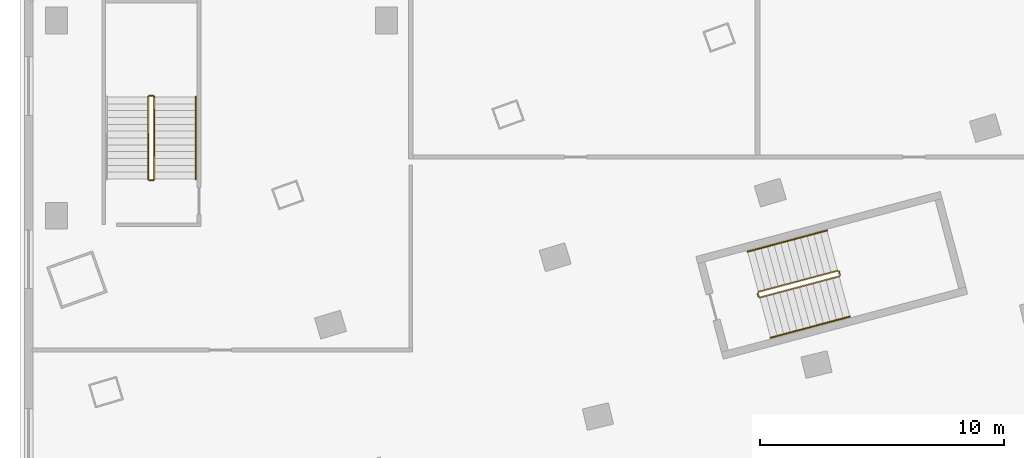
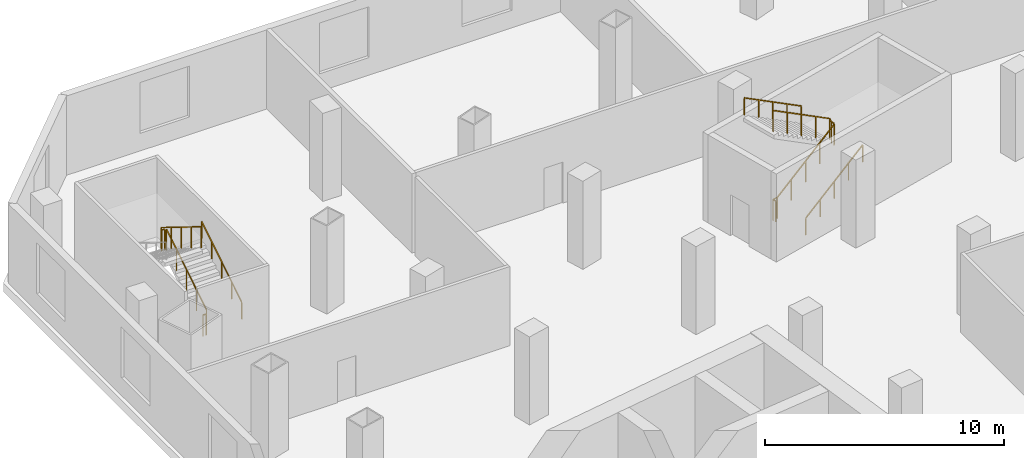
# One storey, part 15 of 16: 8 railings.
"""IFC4 building model written with IfcOpenShell, lengths in metres."""

import ifcopenshell
import ifcopenshell.guid

model = None  # the IFC model being written
_history = None  # IfcOwnerHistory: only IFC2X3 demands one
_inside = {}  # id of a spatial element -> (the spatial element, [elements in it])
_under = {}  # id of a project, library or spatial element -> (it, [spatial elements below it])
_declared = {}  # id of a project -> (the project, [libraries it declares])
_typed = {}  # id of a type object -> (the type object, [elements of that type])
_made_of = {}  # id of a material, layer set ... -> (it, [elements and type objects made of it])


def new_model(schema):
    """Start an empty IFC model of exactly this schema.

    Asked for "IFC4X3", IfcOpenShell would pick the latest addendum, in which some entities
    have other attributes; the version numbers below select the first issue.
    IFC2X3 requires an IfcOwnerHistory on every rooted entity: one is made here for all.
    """
    global model, _history
    if schema == "IFC4X3":
        model = ifcopenshell.file(schema_version=(4, 3, 0, 0))
    else:
        model = ifcopenshell.file(schema=schema)
    _inside.clear()
    _under.clear()
    _declared.clear()
    _typed.clear()
    _made_of.clear()
    _history = None
    if model.schema == "IFC2X3":
        org = make("IfcOrganization", Name="unknown")
        user = make(
            "IfcPersonAndOrganization",
            ThePerson=make("IfcPerson", FamilyName="unknown"),
            TheOrganization=org,
        )
        app = make(
            "IfcApplication",
            ApplicationDeveloper=org,
            Version="unknown",
            ApplicationFullName="unknown",
            ApplicationIdentifier="unknown",
        )
        _history = make(
            "IfcOwnerHistory",
            OwningUser=user,
            OwningApplication=app,
            ChangeAction="ADDED",
            CreationDate=0,
        )
    return model


def make(cls, **values):
    """One entity of the class cls with the attributes given. An attribute that is None is left unset."""
    return model.create_entity(
        cls, **{name: value for name, value in values.items() if value is not None}
    )


def rooted(cls, **values):
    """An entity with a GlobalId (a new one), such as an element, a storey or a relation."""
    return make(cls, GlobalId=ifcopenshell.guid.new(), OwnerHistory=_history, **values)


def si_unit(unit_type, name, prefix=None):
    """IfcSIUnit, for example si_unit("LENGTHUNIT", "METRE", prefix="MILLI")."""
    return make("IfcSIUnit", UnitType=unit_type, Prefix=prefix, Name=name)


def assignment(units):
    """IfcUnitAssignment: the units of a project."""
    return None if units is None else make("IfcUnitAssignment", Units=units)


def point(xyz):
    """IfcCartesianPoint."""
    return None if xyz is None else make("IfcCartesianPoint", Coordinates=xyz)


def direction(xyz):
    """IfcDirection."""
    return None if xyz is None else make("IfcDirection", DirectionRatios=xyz)


def frame(location, z_axis=None, x_axis=None):
    """IfcAxis2Placement3D, a coordinate frame: its origin and axes. An axis left out is left unset."""
    return make(
        "IfcAxis2Placement3D",
        Location=point(location),
        Axis=direction(z_axis),
        RefDirection=direction(x_axis),
    )


def frame_2d(location, x_axis=None):
    """IfcAxis2Placement2D, a coordinate frame in the plane: its origin and x axis."""
    return make(
        "IfcAxis2Placement2D", Location=point(location), RefDirection=direction(x_axis)
    )


def origin():
    """The frame at (0, 0, 0) with its axes left unset."""
    return frame((0.0, 0.0, 0.0))


def origin_2d():
    """The frame at (0, 0) in the plane with its x axis left unset."""
    return frame_2d((0.0, 0.0))


def place(relative_to, where):
    """IfcLocalPlacement: puts the frame where relative to a parent placement (None: the world)."""
    return make(
        "IfcLocalPlacement", PlacementRelTo=relative_to, RelativePlacement=where
    )


def context(
    kind, dimensions, precision=None, world=None, true_north=None, identifier=None
):
    """IfcGeometricRepresentationContext, for example the 3D "Model" context."""
    return make(
        "IfcGeometricRepresentationContext",
        ContextIdentifier=identifier,
        ContextType=kind,
        CoordinateSpaceDimension=dimensions,
        Precision=precision,
        WorldCoordinateSystem=world,
        TrueNorth=true_north,
    )


def subcontext(parent, identifier, kind, view, scale=None):
    """IfcGeometricRepresentationSubContext, for example "Body" below "Model"."""
    return make(
        "IfcGeometricRepresentationSubContext",
        ContextIdentifier=identifier,
        ContextType=kind,
        ParentContext=parent,
        TargetScale=scale,
        TargetView=view,
    )


def project(units=None, contexts=None):
    """IfcProject with its units and contexts."""
    return rooted(
        "IfcProject",
        Name="project",
        RepresentationContexts=contexts,
        UnitsInContext=assignment(units),
    )


def spatial(cls, under=None, at=None, **own):
    """A site, building, storey or space (cls), placed at a placement, below another one or the project."""
    s = rooted(cls, ObjectPlacement=at, **own)
    if under is not None:
        _under.setdefault(under.id(), (under, []))[1].append(s)
    return s


def profile(cls, at=None, kind="AREA", **sizes):
    """A parametric profile (cls). Its sizes go by their IFC names, for example OverallWidth=200.0."""
    return make(cls, ProfileType=kind, Position=at, **sizes)


def rectangle(**sizes):
    """IfcRectangleProfileDef."""
    return profile("IfcRectangleProfileDef", **sizes)


def extrude(swept, where, along, depth):
    """IfcExtrudedAreaSolid: the profile swept, set in the frame where, extruded along a direction by depth."""
    return make(
        "IfcExtrudedAreaSolid",
        SweptArea=swept,
        Position=where,
        ExtrudedDirection=direction(along),
        Depth=depth,
    )


def shape(context_of_items, identifier, shape_type, items):
    """IfcShapeRepresentation: the items that make up one representation, for example the "Body"."""
    return make(
        "IfcShapeRepresentation",
        ContextOfItems=context_of_items,
        RepresentationIdentifier=identifier,
        RepresentationType=shape_type,
        Items=items,
    )


def material(Name=None, Category=None):
    """IfcMaterial."""
    return make("IfcMaterial", Name=Name, Category=Category)


def made_of(thing, what):
    """Note that an element or type object is made of a material, layer set ...; save() writes the relation."""
    if what is not None:
        _made_of.setdefault(what.id(), (what, []))[1].append(thing)
    return thing


def type_object(cls, material=None, **own):
    """A type object (cls), such as IfcWallType, which elements share."""
    return made_of(rooted(cls, **own), material)


def element(
    cls,
    number,
    at=None,
    inside=None,
    cuts=None,
    type_object=None,
    material=None,
    context=None,
    identifier="Body",
    shape_type=None,
    held_by="IfcProductDefinitionShape",
    body=None,
    shapes=None,
    **own,
):
    """One element of the class cls, such as IfcWall. Its Tag is "e" and its number.

    at: its placement. inside: the storey or other place that contains it. cuts: it is an
    opening in that element (IfcRelVoidsElement). A single representation is given by context,
    identifier, shape_type and body (its items); several are given by shapes. held_by: the class
    of the entity that holds the representations. save() writes the other relations.
    """
    e = rooted(cls, Tag="e%d" % number, ObjectPlacement=at, **own)
    if body is not None:
        shapes = [shape(context, identifier, shape_type, body)]
    if shapes is not None:
        e.Representation = make(held_by, Representations=shapes)
    if inside is not None:
        _inside.setdefault(inside.id(), (inside, []))[1].append(e)
    if cuts is not None:
        rooted(
            "IfcRelVoidsElement", RelatingBuildingElement=cuts, RelatedOpeningElement=e
        )
    if type_object is not None:
        _typed.setdefault(type_object.id(), (type_object, []))[1].append(e)
    return made_of(e, material)


def aggregate(whole, parts):
    """IfcRelAggregates: a whole, such as a stair, and the parts it consists of."""
    return rooted("IfcRelAggregates", RelatingObject=whole, RelatedObjects=parts)


def save(model, path):
    """Write the relations noted so far, then the file.

    IfcRelAggregates (storeys below a building ...), IfcRelContainedInSpatialStructure (elements
    in a storey), IfcRelDefinesByType, IfcRelAssociatesMaterial and IfcRelDeclares: one each for
    every whole, place, type object, material and project.
    """
    for whole, parts in _under.values():
        aggregate(whole, parts)
    for where, things in _inside.values():
        rooted(
            "IfcRelContainedInSpatialStructure",
            RelatedElements=things,
            RelatingStructure=where,
        )
    for kind, things in _typed.values():
        rooted("IfcRelDefinesByType", RelatedObjects=things, RelatingType=kind)
    for what, things in _made_of.values():
        rooted("IfcRelAssociatesMaterial", RelatedObjects=things, RelatingMaterial=what)
    for by, libraries in _declared.values():
        rooted("IfcRelDeclares", RelatingContext=by, RelatedDefinitions=libraries)
    model.write(path)


model = new_model("IFC4")

# Units and contexts
model_context = context("Model", 3, precision=1e-05, world=origin(), true_north=direction((0.0, 1.0)))
body_context = subcontext(model_context, "Body", "Model", "MODEL_VIEW")
ifc_project = project(units=[si_unit("LENGTHUNIT", "METRE"), si_unit("AREAUNIT", "SQUARE_METRE"), si_unit("VOLUMEUNIT", "CUBIC_METRE"), si_unit("PLANEANGLEUNIT", "RADIAN"), si_unit("MASSUNIT", "GRAM", prefix="KILO")], contexts=[model_context])

# Site, building, storey
site_placement = place(None, origin())
site = spatial("IfcSite", under=ifc_project, at=site_placement, CompositionType="ELEMENT")
building_placement = place(site_placement, origin())
building = spatial("IfcBuilding", under=site, at=building_placement, Name="Alderwake Tower", CompositionType="ELEMENT")
storey_placement = place(building_placement, frame((0.0, 0.0, 18.5)))
storey = spatial("IfcBuildingStorey", under=building, at=storey_placement, Name="L03", CompositionType="ELEMENT", Elevation=18.5)

# Railings
ifc_material_1 = material(Name="Stainless steel guard", Category="steel")
railing_type_1 = type_object("IfcRailingType", Name="Stair guard 1100", PredefinedType="GUARDRAIL", material=ifc_material_1)
railing_1_placement = place(storey_placement, frame((39.23291015625, 92.6806640625, 0.0)))
element("IfcRailing", 1, at=railing_1_placement, inside=storey, type_object=railing_type_1, Name="L03 ST-A stair guard 1", PredefinedType="GUARDRAIL", context=body_context, shape_type="SweptSolid", body=[
    extrude(rectangle(XDim=0.048095703125, YDim=0.048095703125, at=origin_2d()), frame((0.0, 0.0, 1.076171875), z_axis=(-0.257055032184, 0.966396766566, 0.0), x_axis=(-0.966396766566, -0.257055032184, 0.0)), (0.0, 0.0, 1.0), 0.150146484375),
    extrude(rectangle(XDim=0.048095703125, YDim=0.048095703125, at=origin_2d()), frame((-0.03857421875, 0.14501953125, 1.076171875), z_axis=(0.370887075343, -0.67013581584, 0.642931384886), x_axis=(0.874937996095, 0.484234966715, 0.0)), (0.0, 0.0, 1.0), 0.269287109375),
    extrude(rectangle(XDim=0.048095703125, YDim=0.048095703125, at=origin_2d()), frame((0.061279296875, -0.035400390625, 1.2490234375), z_axis=(0.821951815101, 0.218977011873, 0.525779689531), x_axis=(-0.257432002611, 0.966296416237, 0.0)), (0.0, 0.0, 1.0), 3.9501953125),
    extrude(rectangle(XDim=0.048095703125, YDim=0.048095703125, at=origin_2d()), frame((3.30810546875, 0.82958984375, 3.326171875), z_axis=(0.501718089772, 0.865031189262, 0.0), x_axis=(-0.865031189262, 0.501718089772, 0.0)), (0.0, 0.0, 1.0), 0.070556640625),
    extrude(rectangle(XDim=0.048095703125, YDim=0.048095703125, at=origin_2d()), frame((3.343505859375, 0.890625, 3.326171875), z_axis=(-0.257055032184, 0.966396766566, 0.0), x_axis=(-0.966396766566, -0.257055032184, 0.0)), (0.0, 0.0, 1.0), 0.150146484375),
    extrude(rectangle(XDim=0.048095703125, YDim=0.048095703125, at=origin_2d()), frame((3.304931640625, 1.03564453125, 3.326171875), z_axis=(-0.327689923189, 0.189302943675, 0.925626117693), x_axis=(-0.500220121494, -0.865898279276, 0.0)), (0.0, 0.0, 1.0), 0.18701171875),
    extrude(rectangle(XDim=0.048095703125, YDim=0.048095703125, at=origin_2d()), frame((3.24365234375, 1.071044921875, 3.4990234375), z_axis=(-0.821962938046, -0.218918168777, 0.525786804569), x_axis=(0.257364156602, -0.966314488609, 0.0)), (0.0, 0.0, 1.0), 3.9501953125),
    extrude(rectangle(XDim=0.0419921875, YDim=0.0419921875, at=origin_2d()), frame((0.0, 0.0, 0.0), z_axis=(0.0, 0.0, 1.0), x_axis=(-0.257055032184, 0.966396766566, 0.0)), (0.0, 0.0, 1.0), 1.052001953125),
    extrude(rectangle(XDim=0.0419921875, YDim=0.0419921875, at=origin_2d()), frame((-0.03857421875, 0.14501953125, 0.0), z_axis=(0.0, 0.0, 1.0), x_axis=(0.484234966715, -0.874937996095, 0.0)), (0.0, 0.0, 1.0), 1.052001953125),
    extrude(rectangle(XDim=0.0419921875, YDim=0.0419921875, at=origin_2d()), frame((0.061279296875, -0.035400390625, 0.173095703125), z_axis=(0.0, 0.0, 1.0), x_axis=(0.966296416237, 0.257432002611, 0.0)), (0.0, 0.0, 1.0), 1.052001953125),
    extrude(rectangle(XDim=0.0419921875, YDim=0.0419921875, at=origin_2d()), frame((0.873046875, 0.180908203125, 0.6923828125), z_axis=(0.0, 0.0, 1.0), x_axis=(0.966296416237, 0.257432002611, 0.0)), (0.0, 0.0, 1.0), 1.052001953125),
    extrude(rectangle(XDim=0.0419921875, YDim=0.0419921875, at=origin_2d()), frame((1.6845703125, 0.39697265625, 1.21142578125), z_axis=(0.0, 0.0, 1.0), x_axis=(0.966296416237, 0.257432002611, 0.0)), (0.0, 0.0, 1.0), 1.052001953125),
    extrude(rectangle(XDim=0.0419921875, YDim=0.0419921875, at=origin_2d()), frame((2.496337890625, 0.61328125, 1.730712890625), z_axis=(0.0, 0.0, 1.0), x_axis=(0.966296416237, 0.257432002611, 0.0)), (0.0, 0.0, 1.0), 1.052001953125),
    extrude(rectangle(XDim=0.0419921875, YDim=0.0419921875, at=origin_2d()), frame((3.30810546875, 0.82958984375, 2.25), z_axis=(0.0, 0.0, 1.0), x_axis=(0.501718089772, 0.865031189262, 0.0)), (0.0, 0.0, 1.0), 1.052001953125),
    extrude(rectangle(XDim=0.0419921875, YDim=0.0419921875, at=origin_2d()), frame((3.343505859375, 0.890625, 2.25), z_axis=(0.0, 0.0, 1.0), x_axis=(-0.257055032184, 0.966396766566, 0.0)), (0.0, 0.0, 1.0), 1.052001953125),
    extrude(rectangle(XDim=0.0419921875, YDim=0.0419921875, at=origin_2d()), frame((3.304931640625, 1.03564453125, 2.25), z_axis=(0.0, 0.0, 1.0), x_axis=(-0.865898279276, 0.500220121494, 0.0)), (0.0, 0.0, 1.0), 1.052001953125),
    extrude(rectangle(XDim=0.0419921875, YDim=0.0419921875, at=origin_2d()), frame((3.24365234375, 1.071044921875, 2.423095703125), z_axis=(0.0, 0.0, 1.0), x_axis=(-0.966314488609, -0.257364156602, 0.0)), (0.0, 0.0, 1.0), 1.052001953125),
    extrude(rectangle(XDim=0.0419921875, YDim=0.0419921875, at=origin_2d()), frame((2.431884765625, 0.85498046875, 2.9423828125), z_axis=(0.0, 0.0, 1.0), x_axis=(-0.966314488609, -0.257364156602, 0.0)), (0.0, 0.0, 1.0), 1.052001953125),
    extrude(rectangle(XDim=0.0419921875, YDim=0.0419921875, at=origin_2d()), frame((1.6201171875, 0.638671875, 3.46142578125), z_axis=(0.0, 0.0, 1.0), x_axis=(-0.966314488609, -0.257364156602, 0.0)), (0.0, 0.0, 1.0), 1.052001953125),
    extrude(rectangle(XDim=0.0419921875, YDim=0.0419921875, at=origin_2d()), frame((0.80859375, 0.42236328125, 3.980712890625), z_axis=(0.0, 0.0, 1.0), x_axis=(-0.966314488609, -0.257364156602, 0.0)), (0.0, 0.0, 1.0), 1.052001953125),
    extrude(rectangle(XDim=0.0419921875, YDim=0.0419921875, at=origin_2d()), frame((-0.003173828125, 0.206298828125, 4.5), z_axis=(0.0, 0.0, 1.0), x_axis=(-0.966314488609, -0.257364156602, 0.0)), (0.0, 0.0, 1.0), 1.052001953125),
])
railing_2_placement = place(storey_placement, frame((14.5, 97.5, 0.173095703125)))
element("IfcRailing", 2, at=railing_2_placement, inside=storey, type_object=railing_type_1, Name="L03 ST-P2 stair guard 1", PredefinedType="GUARDRAIL", context=body_context, shape_type="SweptSolid", body=[
    extrude(rectangle(XDim=0.048095703125, YDim=0.048095703125, at=origin_2d()), frame((0.0, 0.0, 1.076171875), z_axis=(0.0, 0.850623216509, 0.525775754039), x_axis=(-1.0, 0.0, 0.0)), (0.0, 0.0, 1.0), 3.9501953125),
    extrude(rectangle(XDim=0.0419921875, YDim=0.0419921875, at=origin_2d()), frame((0.0, 0.0, 0.0), z_axis=(0.0, 0.0, 1.0), x_axis=(0.0, 1.0, 0.0)), (0.0, 0.0, 1.0), 1.052001953125),
    extrude(rectangle(XDim=0.0419921875, YDim=0.0419921875, at=origin_2d()), frame((0.0, 0.840087890625, 0.519287109375), z_axis=(0.0, 0.0, 1.0), x_axis=(0.0, 1.0, 0.0)), (0.0, 0.0, 1.0), 1.052001953125),
    extrude(rectangle(XDim=0.0419921875, YDim=0.0419921875, at=origin_2d()), frame((0.0, 1.68017578125, 1.03857421875), z_axis=(0.0, 0.0, 1.0), x_axis=(0.0, 1.0, 0.0)), (0.0, 0.0, 1.0), 1.052001953125),
    extrude(rectangle(XDim=0.0419921875, YDim=0.0419921875, at=origin_2d()), frame((0.0, 2.52001953125, 1.5576171875), z_axis=(0.0, 0.0, 1.0), x_axis=(0.0, 1.0, 0.0)), (0.0, 0.0, 1.0), 1.052001953125),
    extrude(rectangle(XDim=0.0419921875, YDim=0.0419921875, at=origin_2d()), frame((0.0, 3.360107421875, 2.076904296875), z_axis=(0.0, 0.0, 1.0), x_axis=(0.0, 1.0, 0.0)), (0.0, 0.0, 1.0), 1.052001953125),
])
railing_3_placement = place(storey_placement, frame((14.449951171875, 100.909912109375, 2.25)))
element("IfcRailing", 3, at=railing_3_placement, inside=storey, type_object=railing_type_1, Name="L03 ST-P2 stair guard 2", PredefinedType="GUARDRAIL", context=body_context, shape_type="SweptSolid", body=[
    extrude(rectangle(XDim=0.048095703125, YDim=0.048095703125, at=origin_2d()), frame((0.0, 0.0, 1.076171875), z_axis=(-1.0, 0.0, 0.0), x_axis=(0.0, -1.0, 0.0)), (0.0, 0.0, 1.0), 0.14990234375),
    extrude(rectangle(XDim=0.0419921875, YDim=0.0419921875, at=origin_2d()), frame((0.0, 0.0, 0.0), z_axis=(0.0, 0.0, 1.0), x_axis=(-1.0, 0.0, 0.0)), (0.0, 0.0, 1.0), 1.052001953125),
    extrude(rectangle(XDim=0.0419921875, YDim=0.0419921875, at=origin_2d()), frame((-0.14990234375, 0.0, 0.0), z_axis=(0.0, 0.0, 1.0), x_axis=(-1.0, 0.0, 0.0)), (0.0, 0.0, 1.0), 1.052001953125),
])
railing_4_placement = place(storey_placement, frame((14.25, 100.860107421875, 2.423095703125)))
element("IfcRailing", 4, at=railing_4_placement, inside=storey, type_object=railing_type_1, Name="L03 ST-P2 stair guard 3", PredefinedType="GUARDRAIL", context=body_context, shape_type="SweptSolid", body=[
    extrude(rectangle(XDim=0.048095703125, YDim=0.048095703125, at=origin_2d()), frame((0.0, 0.0, 1.076171875), z_axis=(0.0, -0.850623216509, 0.525775754039), x_axis=(1.0, 0.0, 0.0)), (0.0, 0.0, 1.0), 3.9501953125),
    extrude(rectangle(XDim=0.0419921875, YDim=0.0419921875, at=origin_2d()), frame((0.0, 0.0, 0.0), z_axis=(0.0, 0.0, 1.0), x_axis=(0.0, -1.0, 0.0)), (0.0, 0.0, 1.0), 1.052001953125),
    extrude(rectangle(XDim=0.0419921875, YDim=0.0419921875, at=origin_2d()), frame((0.0, -0.840087890625, 0.519287109375), z_axis=(0.0, 0.0, 1.0), x_axis=(0.0, -1.0, 0.0)), (0.0, 0.0, 1.0), 1.052001953125),
    extrude(rectangle(XDim=0.0419921875, YDim=0.0419921875, at=origin_2d()), frame((0.0, -1.68017578125, 1.03857421875), z_axis=(0.0, 0.0, 1.0), x_axis=(0.0, -1.0, 0.0)), (0.0, 0.0, 1.0), 1.052001953125),
    extrude(rectangle(XDim=0.0419921875, YDim=0.0419921875, at=origin_2d()), frame((0.0, -2.52001953125, 1.5576171875), z_axis=(0.0, 0.0, 1.0), x_axis=(0.0, -1.0, 0.0)), (0.0, 0.0, 1.0), 1.052001953125),
    extrude(rectangle(XDim=0.0419921875, YDim=0.0419921875, at=origin_2d()), frame((0.0, -3.360107421875, 2.076904296875), z_axis=(0.0, 0.0, 1.0), x_axis=(0.0, -1.0, 0.0)), (0.0, 0.0, 1.0), 1.052001953125),
])
railing_5_placement = place(storey_placement, frame((14.449951171875, 97.449951171875, 0.0)))
element("IfcRailing", 5, at=railing_5_placement, inside=storey, type_object=railing_type_1, Name="L03 ST-P2 stair guard 4", PredefinedType="GUARDRAIL", context=body_context, shape_type="SweptSolid", body=[
    extrude(rectangle(XDim=0.048095703125, YDim=0.048095703125, at=origin_2d()), frame((0.0, 0.0, 1.076171875), z_axis=(-1.0, 0.0, 0.0), x_axis=(0.0, -1.0, 0.0)), (0.0, 0.0, 1.0), 0.14990234375),
    extrude(rectangle(XDim=0.0419921875, YDim=0.0419921875, at=origin_2d()), frame((0.0, 0.0, 0.0), z_axis=(0.0, 0.0, 1.0), x_axis=(-1.0, 0.0, 0.0)), (0.0, 0.0, 1.0), 1.052001953125),
    extrude(rectangle(XDim=0.0419921875, YDim=0.0419921875, at=origin_2d()), frame((-0.14990234375, 0.0, 0.0), z_axis=(0.0, 0.0, 1.0), x_axis=(-1.0, 0.0, 0.0)), (0.0, 0.0, 1.0), 1.052001953125),
])
ifc_material_2 = material(Name="Stainless steel handrail", Category="steel")
railing_type_2 = type_object("IfcRailingType", Name="Stair handrail 900", PredefinedType="HANDRAIL", material=ifc_material_2)
railing_6_placement = place(storey_placement, frame((39.731689453125, 91.002685546875, 0.173095703125)))
element("IfcRailing", 6, at=railing_6_placement, inside=storey, type_object=railing_type_2, Name="L03 ST-A stair handrail 1", PredefinedType="HANDRAIL", context=body_context, shape_type="SweptSolid", body=[
    extrude(rectangle(XDim=0.048095703125, YDim=0.048095703125, at=origin_2d()), frame((0.0, 0.0, 0.8759765625), z_axis=(0.821962938046, 0.218918168777, 0.525786804569), x_axis=(-0.257364156602, 0.966314488609, 0.0)), (0.0, 0.0, 1.0), 3.9501953125),
    extrude(rectangle(XDim=0.0419921875, YDim=0.0419921875, at=origin_2d()), frame((0.0, 0.0, 0.0), z_axis=(0.0, 0.0, 1.0), x_axis=(0.966314488609, 0.257364156602, 0.0)), (0.0, 0.0, 1.0), 0.851806640625),
    extrude(rectangle(XDim=0.0419921875, YDim=0.0419921875, at=origin_2d()), frame((0.811767578125, 0.21630859375, 0.519287109375), z_axis=(0.0, 0.0, 1.0), x_axis=(0.966314488609, 0.257364156602, 0.0)), (0.0, 0.0, 1.0), 0.851806640625),
    extrude(rectangle(XDim=0.0419921875, YDim=0.0419921875, at=origin_2d()), frame((1.62353515625, 0.432373046875, 1.03857421875), z_axis=(0.0, 0.0, 1.0), x_axis=(0.966314488609, 0.257364156602, 0.0)), (0.0, 0.0, 1.0), 0.851806640625),
    extrude(rectangle(XDim=0.0419921875, YDim=0.0419921875, at=origin_2d()), frame((2.43505859375, 0.6484375, 1.5576171875), z_axis=(0.0, 0.0, 1.0), x_axis=(0.966314488609, 0.257364156602, 0.0)), (0.0, 0.0, 1.0), 0.851806640625),
    extrude(rectangle(XDim=0.0419921875, YDim=0.0419921875, at=origin_2d()), frame((3.246826171875, 0.86474609375, 2.076904296875), z_axis=(0.0, 0.0, 1.0), x_axis=(0.966314488609, 0.257364156602, 0.0)), (0.0, 0.0, 1.0), 0.851806640625),
])
railing_7_placement = place(storey_placement, frame((42.0390625, 95.39453125, 2.423095703125)))
element("IfcRailing", 7, at=railing_7_placement, inside=storey, type_object=railing_type_2, Name="L03 ST-A stair handrail 2", PredefinedType="HANDRAIL", context=body_context, shape_type="SweptSolid", body=[
    extrude(rectangle(XDim=0.048095703125, YDim=0.048095703125, at=origin_2d()), frame((0.0, 0.0, 0.8759765625), z_axis=(-0.821951815101, -0.218977011873, 0.525779689531), x_axis=(0.257432002611, -0.966296416237, 0.0)), (0.0, 0.0, 1.0), 3.9501953125),
    extrude(rectangle(XDim=0.0419921875, YDim=0.0419921875, at=origin_2d()), frame((0.0, 0.0, 0.0), z_axis=(0.0, 0.0, 1.0), x_axis=(-0.966296416237, -0.257432002611, 0.0)), (0.0, 0.0, 1.0), 0.851806640625),
    extrude(rectangle(XDim=0.0419921875, YDim=0.0419921875, at=origin_2d()), frame((-0.811767578125, -0.21630859375, 0.519287109375), z_axis=(0.0, 0.0, 1.0), x_axis=(-0.966296416237, -0.257432002611, 0.0)), (0.0, 0.0, 1.0), 0.851806640625),
    extrude(rectangle(XDim=0.0419921875, YDim=0.0419921875, at=origin_2d()), frame((-1.62353515625, -0.4326171875, 1.03857421875), z_axis=(0.0, 0.0, 1.0), x_axis=(-0.966296416237, -0.257432002611, 0.0)), (0.0, 0.0, 1.0), 0.851806640625),
    extrude(rectangle(XDim=0.0419921875, YDim=0.0419921875, at=origin_2d()), frame((-2.43505859375, -0.648681640625, 1.5576171875), z_axis=(0.0, 0.0, 1.0), x_axis=(-0.966296416237, -0.257432002611, 0.0)), (0.0, 0.0, 1.0), 0.851806640625),
    extrude(rectangle(XDim=0.0419921875, YDim=0.0419921875, at=origin_2d()), frame((-3.246826171875, -0.864990234375, 2.076904296875), z_axis=(0.0, 0.0, 1.0), x_axis=(-0.966296416237, -0.257432002611, 0.0)), (0.0, 0.0, 1.0), 0.851806640625),
])
railing_8_placement = place(storey_placement, frame((16.199951171875, 97.5, 0.173095703125)))
element("IfcRailing", 8, at=railing_8_placement, inside=storey, type_object=railing_type_2, Name="L03 ST-P2 stair handrail 1", PredefinedType="HANDRAIL", context=body_context, shape_type="SweptSolid", body=[
    extrude(rectangle(XDim=0.048095703125, YDim=0.048095703125, at=origin_2d()), frame((0.0, 0.0, 0.8759765625), z_axis=(0.0, 0.850623216509, 0.525775754039), x_axis=(-1.0, 0.0, 0.0)), (0.0, 0.0, 1.0), 3.9501953125),
    extrude(rectangle(XDim=0.0419921875, YDim=0.0419921875, at=origin_2d()), frame((0.0, 0.0, 0.0), z_axis=(0.0, 0.0, 1.0), x_axis=(0.0, 1.0, 0.0)), (0.0, 0.0, 1.0), 0.851806640625),
    extrude(rectangle(XDim=0.0419921875, YDim=0.0419921875, at=origin_2d()), frame((0.0, 0.840087890625, 0.519287109375), z_axis=(0.0, 0.0, 1.0), x_axis=(0.0, 1.0, 0.0)), (0.0, 0.0, 1.0), 0.851806640625),
    extrude(rectangle(XDim=0.0419921875, YDim=0.0419921875, at=origin_2d()), frame((0.0, 1.68017578125, 1.03857421875), z_axis=(0.0, 0.0, 1.0), x_axis=(0.0, 1.0, 0.0)), (0.0, 0.0, 1.0), 0.851806640625),
    extrude(rectangle(XDim=0.0419921875, YDim=0.0419921875, at=origin_2d()), frame((0.0, 2.52001953125, 1.5576171875), z_axis=(0.0, 0.0, 1.0), x_axis=(0.0, 1.0, 0.0)), (0.0, 0.0, 1.0), 0.851806640625),
    extrude(rectangle(XDim=0.0419921875, YDim=0.0419921875, at=origin_2d()), frame((0.0, 3.360107421875, 2.076904296875), z_axis=(0.0, 0.0, 1.0), x_axis=(0.0, 1.0, 0.0)), (0.0, 0.0, 1.0), 0.851806640625),
])

save(model, "model.ifc")
